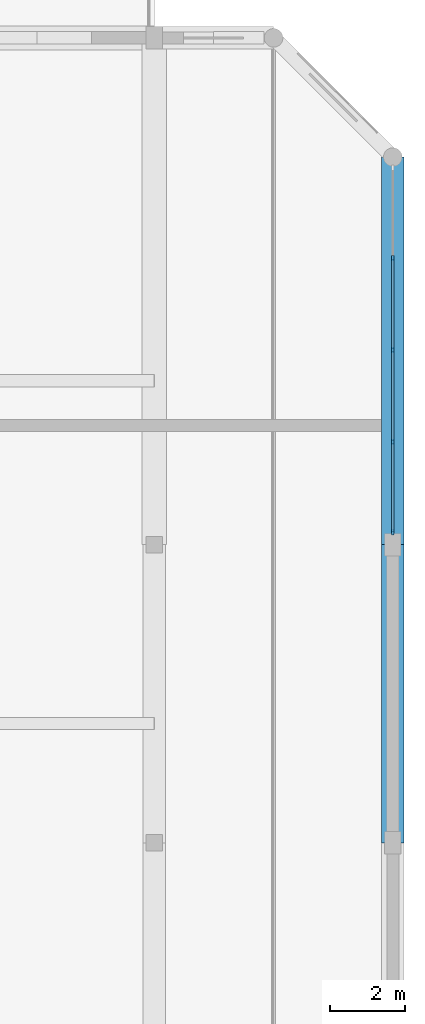
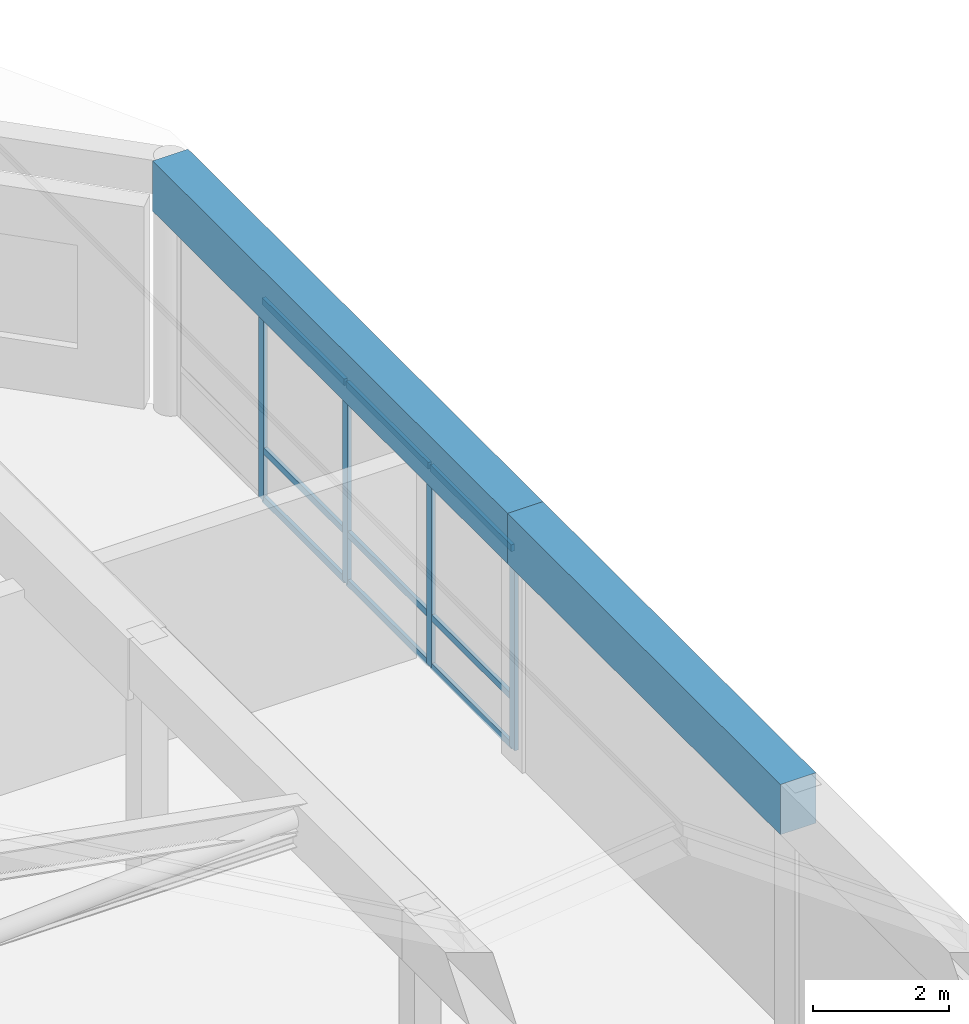
# One storey, part 15 of 24: 13 members, 2 beams, 1 element without a shape of its own.
"""IFC4 building model written with IfcOpenShell, lengths in metres."""

from ifc_helpers import new_model, si_unit, direction, frame, origin, origin_2d, place, context, subcontext, project, spatial, rectangle, extrude, material, material_profile, profile_set, type_object, element, aggregate, save


model = new_model("IFC4")

# Units and contexts
model_context = context("Model", 3, precision=1e-05, world=origin(), true_north=direction((0.0, 1.0)))
body_context = subcontext(model_context, "Body", "Model", "MODEL_VIEW")
ifc_project = project(units=[si_unit("LENGTHUNIT", "METRE"), si_unit("AREAUNIT", "SQUARE_METRE"), si_unit("VOLUMEUNIT", "CUBIC_METRE"), si_unit("PLANEANGLEUNIT", "RADIAN"), si_unit("MASSUNIT", "GRAM", prefix="KILO")], contexts=[model_context])

# Site, building, storey
site_placement = place(None, origin())
site = spatial("IfcSite", under=ifc_project, at=site_placement, CompositionType="ELEMENT")
building_placement = place(site_placement, origin())
building = spatial("IfcBuilding", under=site, at=building_placement, Name="Vellmiral Cinema and Media Centre", CompositionType="ELEMENT")
storey_placement = place(building_placement, frame((0.0, 0.0, 66.60009765625)))
storey = spatial("IfcBuildingStorey", under=building, at=storey_placement, Name="L16", CompositionType="ELEMENT", Elevation=66.60009765625)

# Curtain wall, members
ifc_material_1 = material(Name="Thermally Broken Aluminium and Triple Glazing", Category="aluminium")
curtain_wall_type = type_object("IfcCurtainWallType", Name="CW-TOWER-HIGH", PredefinedType="USERDEFINED", material=ifc_material_1)
curtain_wall_placement = place(storey_placement, origin())
curtain_wall = element("IfcCurtainWall", 1, at=curtain_wall_placement, inside=storey, type_object=curtain_wall_type, Name="Curtain Wall L16-B011", ObjectType="UNITISED CURTAIN WALL", PredefinedType="USERDEFINED")
ifc_material_2 = material(Name="Thermally Broken Anodised Aluminium", Category="aluminium")
ifc_material_profile_1 = material_profile(ifc_material_2, rectangle(XDim=0.06005859375, YDim=0.14990234375, at=origin_2d()), Name="MULL 60x150")
ifc_profile_set_1 = profile_set([ifc_material_profile_1], Name="Thermally Broken Anodised Aluminium")
member_type_1 = type_object("IfcMemberType", Name="CWM-60x150", PredefinedType="MULLION", material=ifc_profile_set_1)
member_1_placement = place(storey_placement, frame((168.0, 95.530029296875, 0.0), z_axis=(0.0, 0.0, 1.0), x_axis=(-1.0, 0.0, 0.0)))
member_1 = element("IfcMember", 2, at=member_1_placement, type_object=member_type_1, Name="CW-09 mullion 1", PredefinedType="MULLION", context=body_context, shape_type="SweptSolid", body=[
    extrude(rectangle(XDim=0.06005859375, YDim=0.14990234375, at=origin_2d()), origin(), (0.0, 0.0, 1.0), 3.58984375),
])
member_2_placement = place(storey_placement, frame((168.0, 97.96240234375, 0.0), z_axis=(0.0, 0.0, 1.0), x_axis=(-1.0, 0.0, 0.0)))
member_2 = element("IfcMember", 3, at=member_2_placement, type_object=member_type_1, Name="CW-09 mullion 2", PredefinedType="MULLION", context=body_context, shape_type="SweptSolid", body=[
    extrude(rectangle(XDim=0.06005859375, YDim=0.14990234375, at=origin_2d()), origin(), (0.0, 0.0, 1.0), 3.58984375),
])
member_3_placement = place(storey_placement, frame((168.0, 100.425048828125, 0.0), z_axis=(0.0, 0.0, 1.0), x_axis=(-1.0, 0.0, 0.0)))
member_3 = element("IfcMember", 4, at=member_3_placement, type_object=member_type_1, Name="CW-09 mullion 3", PredefinedType="MULLION", context=body_context, shape_type="SweptSolid", body=[
    extrude(rectangle(XDim=0.06005859375, YDim=0.14990234375, at=origin_2d()), origin(), (0.0, 0.0, 1.0), 3.58984375),
])
member_4_placement = place(storey_placement, frame((168.0, 102.887451171875, 0.0), z_axis=(0.0, 0.0, 1.0), x_axis=(-1.0, 0.0, 0.0)))
member_4 = element("IfcMember", 5, at=member_4_placement, type_object=member_type_1, Name="CW-09 mullion 4", PredefinedType="MULLION", context=body_context, shape_type="SweptSolid", body=[
    extrude(rectangle(XDim=0.06005859375, YDim=0.14990234375, at=origin_2d()), origin(), (0.0, 0.0, 1.0), 3.58984375),
])
ifc_material_3 = material(Name="Thermally Broken Anodised Aluminium", Category="aluminium")
ifc_material_profile_2 = material_profile(ifc_material_3, rectangle(XDim=0.06005859375, YDim=0.1201171875, at=origin_2d()), Name="MULL 60x120")
ifc_profile_set_2 = profile_set([ifc_material_profile_2], Name="Thermally Broken Anodised Aluminium")
member_type_2 = type_object("IfcMemberType", Name="CWT-60x120", PredefinedType="USERDEFINED", material=ifc_profile_set_2)
member_5_placement = place(storey_placement, frame((168.0, 95.56005859375, 0.02978515625), z_axis=(0.0, 1.0, 0.0), x_axis=(-1.0, 0.0, 0.0)))
member_5 = element("IfcMember", 6, at=member_5_placement, type_object=member_type_2, Name="CW-09 transom 1.1", ObjectType="TRANSOM", PredefinedType="USERDEFINED", context=body_context, shape_type="SweptSolid", body=[
    extrude(rectangle(XDim=0.06005859375, YDim=0.1201171875, at=origin_2d()), origin(), (0.0, 0.0, 1.0), 2.37255859375),
])
member_6_placement = place(storey_placement, frame((168.0, 95.56005859375, 0.89990234375), z_axis=(0.0, 1.0, 0.0), x_axis=(-1.0, 0.0, 0.0)))
member_6 = element("IfcMember", 7, at=member_6_placement, type_object=member_type_2, Name="CW-09 transom 1.2", ObjectType="TRANSOM", PredefinedType="USERDEFINED", context=body_context, shape_type="SweptSolid", body=[
    extrude(rectangle(XDim=0.06005859375, YDim=0.1201171875, at=origin_2d()), origin(), (0.0, 0.0, 1.0), 2.37255859375),
])
member_7_placement = place(storey_placement, frame((168.0, 95.56005859375, 3.559814453125), z_axis=(0.0, 1.0, 0.0), x_axis=(-1.0, 0.0, 0.0)))
member_7 = element("IfcMember", 8, at=member_7_placement, type_object=member_type_2, Name="CW-09 transom 1.3", ObjectType="TRANSOM", PredefinedType="USERDEFINED", context=body_context, shape_type="SweptSolid", body=[
    extrude(rectangle(XDim=0.06005859375, YDim=0.1201171875, at=origin_2d()), origin(), (0.0, 0.0, 1.0), 2.37255859375),
])
member_8_placement = place(storey_placement, frame((168.0, 97.992431640625, 0.02978515625), z_axis=(0.0, 1.0, 0.0), x_axis=(-1.0, 0.0, 0.0)))
member_8 = element("IfcMember", 9, at=member_8_placement, type_object=member_type_2, Name="CW-09 transom 2.1", ObjectType="TRANSOM", PredefinedType="USERDEFINED", context=body_context, shape_type="SweptSolid", body=[
    extrude(rectangle(XDim=0.06005859375, YDim=0.1201171875, at=origin_2d()), origin(), (0.0, 0.0, 1.0), 2.402587890625),
])
member_9_placement = place(storey_placement, frame((168.0, 97.992431640625, 0.89990234375), z_axis=(0.0, 1.0, 0.0), x_axis=(-1.0, 0.0, 0.0)))
member_9 = element("IfcMember", 10, at=member_9_placement, type_object=member_type_2, Name="CW-09 transom 2.2", ObjectType="TRANSOM", PredefinedType="USERDEFINED", context=body_context, shape_type="SweptSolid", body=[
    extrude(rectangle(XDim=0.06005859375, YDim=0.1201171875, at=origin_2d()), origin(), (0.0, 0.0, 1.0), 2.402587890625),
])
member_10_placement = place(storey_placement, frame((168.0, 97.992431640625, 3.559814453125), z_axis=(0.0, 1.0, 0.0), x_axis=(-1.0, 0.0, 0.0)))
member_10 = element("IfcMember", 11, at=member_10_placement, type_object=member_type_2, Name="CW-09 transom 2.3", ObjectType="TRANSOM", PredefinedType="USERDEFINED", context=body_context, shape_type="SweptSolid", body=[
    extrude(rectangle(XDim=0.06005859375, YDim=0.1201171875, at=origin_2d()), origin(), (0.0, 0.0, 1.0), 2.402587890625),
])
member_11_placement = place(storey_placement, frame((168.0, 100.455078125, 0.02978515625), z_axis=(0.0, 1.0, 0.0), x_axis=(-1.0, 0.0, 0.0)))
member_11 = element("IfcMember", 12, at=member_11_placement, type_object=member_type_2, Name="CW-09 transom 3.1", ObjectType="TRANSOM", PredefinedType="USERDEFINED", context=body_context, shape_type="SweptSolid", body=[
    extrude(rectangle(XDim=0.06005859375, YDim=0.1201171875, at=origin_2d()), origin(), (0.0, 0.0, 1.0), 2.40234375),
])
member_12_placement = place(storey_placement, frame((168.0, 100.455078125, 0.89990234375), z_axis=(0.0, 1.0, 0.0), x_axis=(-1.0, 0.0, 0.0)))
member_12 = element("IfcMember", 13, at=member_12_placement, type_object=member_type_2, Name="CW-09 transom 3.2", ObjectType="TRANSOM", PredefinedType="USERDEFINED", context=body_context, shape_type="SweptSolid", body=[
    extrude(rectangle(XDim=0.06005859375, YDim=0.1201171875, at=origin_2d()), origin(), (0.0, 0.0, 1.0), 2.40234375),
])
member_13_placement = place(storey_placement, frame((168.0, 100.455078125, 3.559814453125), z_axis=(0.0, 1.0, 0.0), x_axis=(-1.0, 0.0, 0.0)))
member_13 = element("IfcMember", 14, at=member_13_placement, type_object=member_type_2, Name="CW-09 transom 3.3", ObjectType="TRANSOM", PredefinedType="USERDEFINED", context=body_context, shape_type="SweptSolid", body=[
    extrude(rectangle(XDim=0.06005859375, YDim=0.1201171875, at=origin_2d()), origin(), (0.0, 0.0, 1.0), 2.40234375),
])
aggregate(curtain_wall, [member_1, member_2, member_3, member_4, member_5, member_6, member_7, member_8, member_9, member_10, member_11, member_12, member_13])

# Beams
ifc_material_4 = material(Name="Concrete C40/50", Category="concrete")
ifc_material_profile_3 = material_profile(ifc_material_4, rectangle(XDim=0.60009765625, YDim=0.89990234375, at=origin_2d()), Name="RC 600x900")
ifc_profile_set_3 = profile_set([ifc_material_profile_3], Name="Concrete C40/50")
beam_type = type_object("IfcBeamType", Name="RING-BM-600x900", PredefinedType="BEAM", material=ifc_profile_set_3)
beam_1_placement = place(storey_placement, frame((168.0, 87.199951171875, 4.0498046875), z_axis=(0.0, 1.0, 0.0), x_axis=(-1.0, 0.0, 0.0)))
element("IfcBeam", 15, at=beam_1_placement, inside=storey, type_object=beam_type, Name="Tower Crown East Gallery Vault Ring Beam 04", PredefinedType="BEAM", context=body_context, shape_type="SweptSolid", body=[
    extrude(rectangle(XDim=0.60009765625, YDim=0.89990234375, at=origin_2d()), origin(), (0.0, 0.0, 1.0), 8.0),
])
beam_2_placement = place(storey_placement, frame((168.0, 95.199951171875, 4.0498046875), z_axis=(0.0, 1.0, 0.0), x_axis=(-1.0, 0.0, 0.0)))
element("IfcBeam", 16, at=beam_2_placement, inside=storey, type_object=beam_type, Name="Tower Crown East Gallery Vault Ring Beam 05", PredefinedType="BEAM", context=body_context, shape_type="SweptSolid", body=[
    extrude(rectangle(XDim=0.60009765625, YDim=0.89990234375, at=origin_2d()), origin(), (0.0, 0.0, 1.0), 10.400146484375),
])

save(model, "model.ifc")
